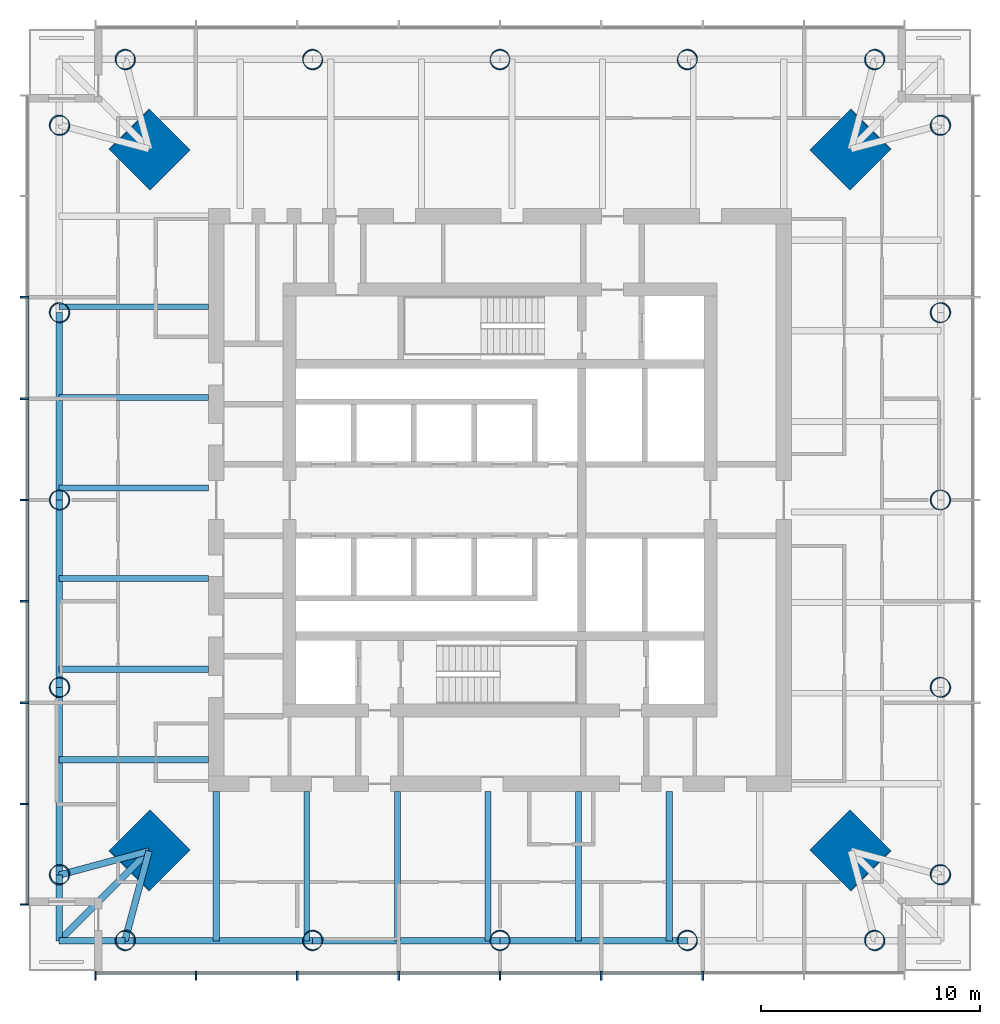
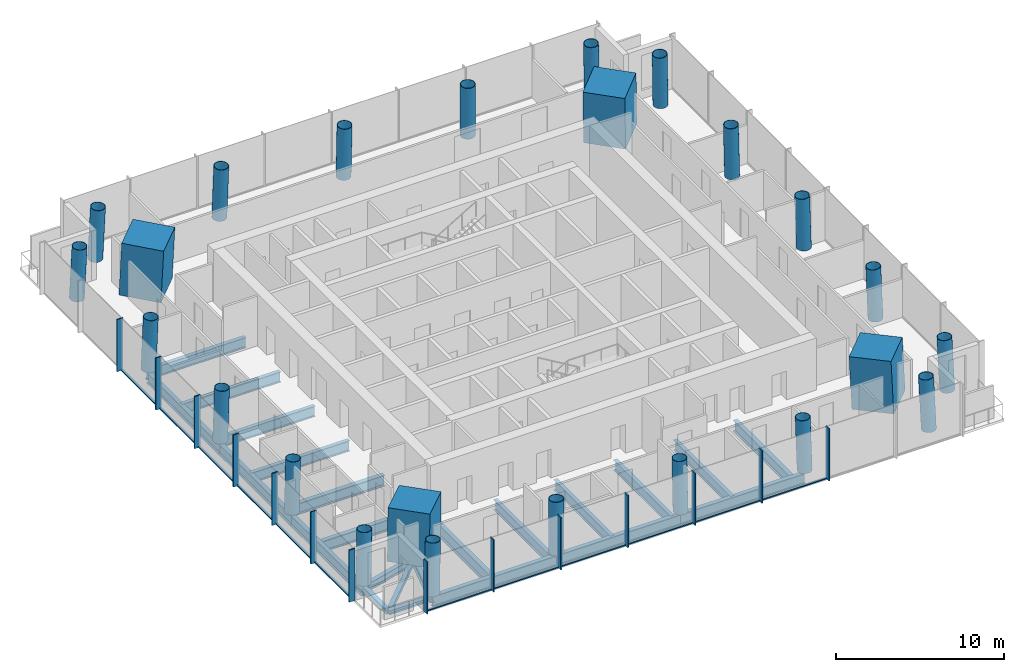
# One storey, part 1 of 9: 26 members, 24 columns, 23 beams, 2 elements without a shape of their own.
"""IFC4 building model written with IfcOpenShell, lengths in metres."""

from ifc_helpers import new_model, si_unit, direction, frame, origin, origin_2d, place, context, subcontext, project, spatial, rectangle, hollow_circle, i_section, extrude, material, material_profile, profile_set, type_object, element, aggregate, save


model = new_model("IFC4")

# Units and contexts
model_context = context("Model", 3, precision=1e-05, world=origin(), true_north=direction((0.0, 1.0)))
body_context = subcontext(model_context, "Body", "Model", "MODEL_VIEW")
ifc_project = project(units=[si_unit("LENGTHUNIT", "METRE"), si_unit("AREAUNIT", "SQUARE_METRE"), si_unit("VOLUMEUNIT", "CUBIC_METRE"), si_unit("PLANEANGLEUNIT", "RADIAN"), si_unit("MASSUNIT", "GRAM", prefix="KILO")], contexts=[model_context])

# Site, building, storey
site_placement = place(None, origin())
site = spatial("IfcSite", under=ifc_project, at=site_placement, CompositionType="ELEMENT")
building_placement = place(site_placement, origin())
building = spatial("IfcBuilding", under=site, at=building_placement, Name="Ostroluk Exchange", CompositionType="ELEMENT")
storey_placement = place(building_placement, frame((0.0, 0.0, 142.60009765625)))
storey = spatial("IfcBuildingStorey", under=building, at=storey_placement, Name="L36", CompositionType="ELEMENT", Elevation=142.60009765625)

# Columns
ifc_material_1 = material(Name="Concrete C50/60", Category="concrete")
ifc_material_profile_1 = material_profile(ifc_material_1, rectangle(XDim=2.60009765625, YDim=2.60009765625, at=origin_2d()), Name="RC 2600x2600")
ifc_profile_set_1 = profile_set([ifc_material_profile_1], Name="Concrete C50/60")
column_type_1 = type_object("IfcColumnType", Name="Mega column RC 2600x2600", PredefinedType="COLUMN", material=ifc_profile_set_1)
for number, where, z_axis, x_axis, name in (
    (1, (61.014404296875, 62.014404296875, 0.0), (-0.031964207655, -0.031964207655, 0.998977766949), (0.707106781187, -0.707106781187, 0.0), "T1 mega column NE"),
    (2, (28.985595703125, 62.014404296875, 0.0), (0.031964207655, -0.031964207655, 0.998977766949), (0.707106781187, 0.707106781187, 0.0), "T1 mega column NW"),
    (3, (28.985595703125, 29.985595703125, 0.0), (0.031964207655, 0.031964207655, 0.998977766949), (-0.707106781187, 0.707106781187, 0.0), "T1 mega column SW"),
    (4, (61.014404296875, 29.985595703125, 0.0), (-0.031964207655, 0.031964207655, 0.998977766949), (-0.707106781187, -0.707106781187, 0.0), "T1 mega column SE"),
):
    element("IfcColumn", number, at=place(storey_placement, frame(where, z_axis=z_axis, x_axis=x_axis)), inside=storey, type_object=column_type_1, Name=name, PredefinedType="COLUMN", context=body_context, shape_type="SweptSolid", body=[
        extrude(rectangle(XDim=2.60009765625, YDim=2.60009765625, at=origin_2d()), origin(), (0.0, 0.0, 1.0), 3.8037109375),
    ])
ifc_material_2 = material(Name="Steel S460", Category="steel")
ifc_material_profile_2 = material_profile(ifc_material_2, hollow_circle(Radius=0.45703125, WallThickness=0.030029296875, at=origin_2d()), Name="CHS 914x30")
ifc_profile_set_2 = profile_set([ifc_material_profile_2], Name="Steel S460")
column_type_2 = type_object("IfcColumnType", Name="Perimeter column CHS 914x30", PredefinedType="COLUMN", material=ifc_profile_set_2)
for number, where, z_axis, x_axis, name in (
    (5, (65.1142578125, 28.8857421875, 0.0), (-0.031900153262, 0.031900153262, 0.998981861919), (-0.707106781187, -0.707106781187, 0.0), "T1 east face column E0"),
    (6, (65.1142578125, 63.1142578125, 0.0), (-0.031900153262, -0.031900153262, 0.998981861919), (0.707106781187, -0.707106781187, 0.0), "T1 east face column E1"),
):
    element("IfcColumn", number, at=place(storey_placement, frame(where, z_axis=z_axis, x_axis=x_axis)), inside=storey, type_object=column_type_2, Name=name, PredefinedType="COLUMN", context=body_context, shape_type="SweptSolid", body=[
        extrude(hollow_circle(Radius=0.45703125, WallThickness=0.030029296875, at=origin_2d()), origin(), (0.0, 0.0, 1.0), 3.8037109375),
    ])
column_1_placement = place(storey_placement, frame((65.1142578125, 37.44287109375, 0.0), z_axis=(-0.031912317206, 0.01598826355, 0.999362786699), x_axis=(-0.447933021895, -0.894067115991, 0.0)))
element("IfcColumn", 7, at=column_1_placement, inside=storey, type_object=column_type_2, Name="T1 east face column I1", PredefinedType="COLUMN", context=body_context, shape_type="SweptSolid", body=[
    extrude(hollow_circle(Radius=0.45703125, WallThickness=0.030029296875, at=origin_2d()), origin(), (0.0, 0.0, 1.0), 3.80224609375),
])
column_2_placement = place(storey_placement, frame((65.1142578125, 46.0, 0.0), z_axis=(-0.031916396774, 0.0, 0.999490542035), x_axis=(0.0, -1.0, 0.0)))
element("IfcColumn", 8, at=column_2_placement, inside=storey, type_object=column_type_2, Name="T1 east face column I2", PredefinedType="COLUMN", context=body_context, shape_type="SweptSolid", body=[
    extrude(hollow_circle(Radius=0.45703125, WallThickness=0.030029296875, at=origin_2d()), origin(), (0.0, 0.0, 1.0), 3.8017578125),
])
column_3_placement = place(storey_placement, frame((65.1142578125, 54.55712890625, 0.0), z_axis=(-0.031912317206, -0.01598826355, 0.999362786699), x_axis=(0.447933021895, -0.894067115991, 0.0)))
element("IfcColumn", 9, at=column_3_placement, inside=storey, type_object=column_type_2, Name="T1 east face column I3", PredefinedType="COLUMN", context=body_context, shape_type="SweptSolid", body=[
    extrude(hollow_circle(Radius=0.45703125, WallThickness=0.030029296875, at=origin_2d()), origin(), (0.0, 0.0, 1.0), 3.80224609375),
])
for number, where, z_axis, x_axis, name in (
    (10, (62.1142578125, 66.1142578125, 0.0), (-0.031900153262, -0.031900153262, 0.998981861919), (0.707106781187, -0.707106781187, 0.0), "T1 north face column E0"),
    (11, (27.8857421875, 66.1142578125, 0.0), (0.031900153262, -0.031900153262, 0.998981861919), (0.707106781187, 0.707106781187, 0.0), "T1 north face column E1"),
):
    element("IfcColumn", number, at=place(storey_placement, frame(where, z_axis=z_axis, x_axis=x_axis)), inside=storey, type_object=column_type_2, Name=name, PredefinedType="COLUMN", context=body_context, shape_type="SweptSolid", body=[
        extrude(hollow_circle(Radius=0.45703125, WallThickness=0.030029296875, at=origin_2d()), origin(), (0.0, 0.0, 1.0), 3.8037109375),
    ])
column_4_placement = place(storey_placement, frame((53.55712890625, 66.1142578125, 0.0), z_axis=(-0.01598826355, -0.031912317206, 0.999362786699), x_axis=(0.894067115991, -0.447933021895, 0.0)))
element("IfcColumn", 12, at=column_4_placement, inside=storey, type_object=column_type_2, Name="T1 north face column I1", PredefinedType="COLUMN", context=body_context, shape_type="SweptSolid", body=[
    extrude(hollow_circle(Radius=0.45703125, WallThickness=0.030029296875, at=origin_2d()), origin(), (0.0, 0.0, 1.0), 3.80224609375),
])
column_5_placement = place(storey_placement, frame((45.0, 66.1142578125, 0.0), z_axis=(0.0, -0.031916396774, 0.999490542035), x_axis=(1.0, 0.0, 0.0)))
element("IfcColumn", 13, at=column_5_placement, inside=storey, type_object=column_type_2, Name="T1 north face column I2", PredefinedType="COLUMN", context=body_context, shape_type="SweptSolid", body=[
    extrude(hollow_circle(Radius=0.45703125, WallThickness=0.030029296875, at=origin_2d()), origin(), (0.0, 0.0, 1.0), 3.8017578125),
])
column_6_placement = place(storey_placement, frame((36.44287109375, 66.1142578125, 0.0), z_axis=(0.01598826355, -0.031912317206, 0.999362786699), x_axis=(0.894067115991, 0.447933021895, 0.0)))
element("IfcColumn", 14, at=column_6_placement, inside=storey, type_object=column_type_2, Name="T1 north face column I3", PredefinedType="COLUMN", context=body_context, shape_type="SweptSolid", body=[
    extrude(hollow_circle(Radius=0.45703125, WallThickness=0.030029296875, at=origin_2d()), origin(), (0.0, 0.0, 1.0), 3.80224609375),
])
for number, where, z_axis, x_axis, name in (
    (15, (24.8857421875, 63.1142578125, 0.0), (0.031900153262, -0.031900153262, 0.998981861919), (0.707106781187, 0.707106781187, 0.0), "T1 west face column E0"),
    (16, (24.8857421875, 28.8857421875, 0.0), (0.031900153262, 0.031900153262, 0.998981861919), (-0.707106781187, 0.707106781187, 0.0), "T1 west face column E1"),
):
    element("IfcColumn", number, at=place(storey_placement, frame(where, z_axis=z_axis, x_axis=x_axis)), inside=storey, type_object=column_type_2, Name=name, PredefinedType="COLUMN", context=body_context, shape_type="SweptSolid", body=[
        extrude(hollow_circle(Radius=0.45703125, WallThickness=0.030029296875, at=origin_2d()), origin(), (0.0, 0.0, 1.0), 3.8037109375),
    ])
column_7_placement = place(storey_placement, frame((24.8857421875, 54.55712890625, 0.0), z_axis=(0.031912317206, -0.01598826355, 0.999362786699), x_axis=(0.447933021895, 0.894067115991, 0.0)))
element("IfcColumn", 17, at=column_7_placement, inside=storey, type_object=column_type_2, Name="T1 west face column I1", PredefinedType="COLUMN", context=body_context, shape_type="SweptSolid", body=[
    extrude(hollow_circle(Radius=0.45703125, WallThickness=0.030029296875, at=origin_2d()), origin(), (0.0, 0.0, 1.0), 3.80224609375),
])
column_8_placement = place(storey_placement, frame((24.8857421875, 46.0, 0.0), z_axis=(0.031916396774, 0.0, 0.999490542035), x_axis=(0.0, 1.0, 0.0)))
element("IfcColumn", 18, at=column_8_placement, inside=storey, type_object=column_type_2, Name="T1 west face column I2", PredefinedType="COLUMN", context=body_context, shape_type="SweptSolid", body=[
    extrude(hollow_circle(Radius=0.45703125, WallThickness=0.030029296875, at=origin_2d()), origin(), (0.0, 0.0, 1.0), 3.8017578125),
])
column_9_placement = place(storey_placement, frame((24.8857421875, 37.44287109375, 0.0), z_axis=(0.031912317206, 0.01598826355, 0.999362786699), x_axis=(-0.447933021895, 0.894067115991, 0.0)))
element("IfcColumn", 19, at=column_9_placement, inside=storey, type_object=column_type_2, Name="T1 west face column I3", PredefinedType="COLUMN", context=body_context, shape_type="SweptSolid", body=[
    extrude(hollow_circle(Radius=0.45703125, WallThickness=0.030029296875, at=origin_2d()), origin(), (0.0, 0.0, 1.0), 3.80224609375),
])
for number, where, z_axis, x_axis, name in (
    (20, (27.8857421875, 25.8857421875, 0.0), (0.031900153262, 0.031900153262, 0.998981861919), (-0.707106781187, 0.707106781187, 0.0), "T1 south face column E0"),
    (21, (62.1142578125, 25.8857421875, 0.0), (-0.031900153262, 0.031900153262, 0.998981861919), (-0.707106781187, -0.707106781187, 0.0), "T1 south face column E1"),
):
    element("IfcColumn", number, at=place(storey_placement, frame(where, z_axis=z_axis, x_axis=x_axis)), inside=storey, type_object=column_type_2, Name=name, PredefinedType="COLUMN", context=body_context, shape_type="SweptSolid", body=[
        extrude(hollow_circle(Radius=0.45703125, WallThickness=0.030029296875, at=origin_2d()), origin(), (0.0, 0.0, 1.0), 3.8037109375),
    ])
column_10_placement = place(storey_placement, frame((36.44287109375, 25.8857421875, 0.0), z_axis=(0.01598826355, 0.031912317206, 0.999362786699), x_axis=(-0.894067115991, 0.447933021895, 0.0)))
element("IfcColumn", 22, at=column_10_placement, inside=storey, type_object=column_type_2, Name="T1 south face column I1", PredefinedType="COLUMN", context=body_context, shape_type="SweptSolid", body=[
    extrude(hollow_circle(Radius=0.45703125, WallThickness=0.030029296875, at=origin_2d()), origin(), (0.0, 0.0, 1.0), 3.80224609375),
])
column_11_placement = place(storey_placement, frame((45.0, 25.8857421875, 0.0), z_axis=(0.0, 0.031916396774, 0.999490542035), x_axis=(-1.0, 0.0, 0.0)))
element("IfcColumn", 23, at=column_11_placement, inside=storey, type_object=column_type_2, Name="T1 south face column I2", PredefinedType="COLUMN", context=body_context, shape_type="SweptSolid", body=[
    extrude(hollow_circle(Radius=0.45703125, WallThickness=0.030029296875, at=origin_2d()), origin(), (0.0, 0.0, 1.0), 3.8017578125),
])
column_12_placement = place(storey_placement, frame((53.55712890625, 25.8857421875, 0.0), z_axis=(-0.01598826355, 0.031912317206, 0.999362786699), x_axis=(-0.894067115991, -0.447933021895, 0.0)))
element("IfcColumn", 24, at=column_12_placement, inside=storey, type_object=column_type_2, Name="T1 south face column I3", PredefinedType="COLUMN", context=body_context, shape_type="SweptSolid", body=[
    extrude(hollow_circle(Radius=0.45703125, WallThickness=0.030029296875, at=origin_2d()), origin(), (0.0, 0.0, 1.0), 3.80224609375),
])

# Beams
ifc_material_3 = material(Name="Steel S355", Category="steel")
ifc_material_profile_3 = material_profile(ifc_material_3, i_section(OverallWidth=0.300048828125, OverallDepth=0.300048828125, WebThickness=0.010986328125, FlangeThickness=0.01904296875, FilletRadius=0.027099609375, at=origin_2d()), Name="HEB 300")
ifc_profile_set_3 = profile_set([ifc_material_profile_3], Name="Steel S355")
beam_type_1 = type_object("IfcBeamType", Name="Balcony beam HEB 300", PredefinedType="BEAM", material=ifc_profile_set_3)
for number, where, z_axis, x_axis, name in (
    (25, (24.8857421875, 28.8857421875, -0.330078125), (0.0, -1.0, 0.0), (1.0, 0.0, 0.0), "T1 west balcony beam a"),
    (26, (27.8857421875, 25.8857421875, -0.330078125), (-1.0, 0.0, 0.0), (0.0, -1.0, 0.0), "T1 west balcony beam b"),
):
    element("IfcBeam", number, at=place(storey_placement, frame(where, z_axis=z_axis, x_axis=x_axis)), inside=storey, type_object=beam_type_1, Name=name, PredefinedType="BEAM", context=body_context, shape_type="SweptSolid", body=[
        extrude(i_section(OverallWidth=0.300048828125, OverallDepth=0.300048828125, WebThickness=0.010986328125, FlangeThickness=0.01904296875, FilletRadius=0.027099609375, at=origin_2d()), origin(), (0.0, 0.0, 1.0), 3.0),
    ])
beam_1_placement = place(storey_placement, frame((28.985595703125, 29.985595703125, -0.330078125), z_axis=(-0.707106781187, -0.707106781187, 0.0), x_axis=(0.707106781187, -0.707106781187, 0.0)))
element("IfcBeam", 27, at=beam_1_placement, inside=storey, type_object=beam_type_1, Name="T1 west balcony beam c", PredefinedType="BEAM", context=body_context, shape_type="SweptSolid", body=[
    extrude(i_section(OverallWidth=0.300048828125, OverallDepth=0.300048828125, WebThickness=0.010986328125, FlangeThickness=0.01904296875, FilletRadius=0.027099609375, at=origin_2d()), origin(), (0.0, 0.0, 1.0), 5.798095703125),
])
ifc_material_4 = material(Name="Steel S355", Category="steel")
ifc_material_profile_4 = material_profile(ifc_material_4, i_section(OverallWidth=0.300048828125, OverallDepth=0.550048828125, WebThickness=0.014892578125, FlangeThickness=0.029052734375, FilletRadius=0.027099609375, at=origin_2d()), Name="HEB 550")
ifc_profile_set_4 = profile_set([ifc_material_profile_4], Name="Steel S355")
beam_type_2 = type_object("IfcBeamType", Name="Corner edge beam HEB 550", PredefinedType="SPANDREL", material=ifc_profile_set_4)
for number, where, z_axis, x_axis, name in (
    (28, (28.985595703125, 29.985595703125, -0.455078125), (-0.965849156574, -0.259105011038, 0.0), (0.259105011038, -0.965849156574, 0.0), "T1 west corner edge beam a"),
    (29, (28.985595703125, 29.985595703125, -0.455078125), (-0.259105011038, -0.965849156574, 0.0), (0.965849156574, -0.259105011038, 0.0), "T1 west corner edge beam b"),
):
    element("IfcBeam", number, at=place(storey_placement, frame(where, z_axis=z_axis, x_axis=x_axis)), inside=storey, type_object=beam_type_2, Name=name, PredefinedType="SPANDREL", context=body_context, shape_type="SweptSolid", body=[
        extrude(i_section(OverallWidth=0.300048828125, OverallDepth=0.550048828125, WebThickness=0.014892578125, FlangeThickness=0.029052734375, FilletRadius=0.027099609375, at=origin_2d()), origin(), (0.0, 0.0, 1.0), 4.244873046875),
    ])
ifc_material_5 = material(Name="Steel S355", Category="steel")
ifc_material_profile_5 = material_profile(ifc_material_5, i_section(OverallWidth=0.302978515625, OverallDepth=0.81396484375, WebThickness=0.02099609375, FlangeThickness=0.0400390625, FilletRadius=0.030029296875, at=origin_2d()), Name="HEM 800")
ifc_profile_set_5 = profile_set([ifc_material_profile_5], Name="Steel S355")
beam_type_3 = type_object("IfcBeamType", Name="Floor beam HEM 800", PredefinedType="BEAM", material=ifc_profile_set_5)
for number, where, z_axis, x_axis, name in (
    (30, (31.699951171875, 38.284912109375, -0.587158203125), (-1.0, 0.0, 0.0), (0.0, -1.0, 0.0), "T1 west floor beam 5"),
    (31, (31.699951171875, 34.15185546875, -0.587158203125), (-1.0, 0.0, 0.0), (0.0, -1.0, 0.0), "T1 west floor beam 6"),
    (32, (52.715087890625, 32.699951171875, -0.587158203125), (0.0, -1.0, 0.0), (1.0, 0.0, 0.0), "T1 south floor beam 5"),
):
    element("IfcBeam", number, at=place(storey_placement, frame(where, z_axis=z_axis, x_axis=x_axis)), inside=storey, type_object=beam_type_3, Name=name, PredefinedType="BEAM", context=body_context, shape_type="SweptSolid", body=[
        extrude(i_section(OverallWidth=0.302978515625, OverallDepth=0.81396484375, WebThickness=0.02099609375, FlangeThickness=0.0400390625, FilletRadius=0.030029296875, at=origin_2d()), origin(), (0.0, 0.0, 1.0), 6.814208984375),
    ])
ifc_material_6 = material(Name="Steel S355", Category="steel")
ifc_material_profile_6 = material_profile(ifc_material_6, i_section(OverallWidth=0.26708984375, OverallDepth=0.761962890625, WebThickness=0.014404296875, FlangeThickness=0.021484375, FilletRadius=0.01708984375, at=origin_2d()), Name="IPE 750x173")
ifc_profile_set_6 = profile_set([ifc_material_profile_6], Name="Steel S355")
beam_type_4 = type_object("IfcBeamType", Name="Floor beam IPE 750x173", PredefinedType="BEAM", material=ifc_profile_set_6)
for number, where, z_axis, x_axis, name in (
    (33, (31.699951171875, 54.81689453125, -0.56103515625), (-1.0, 0.0, 0.0), (0.0, -1.0, 0.0), "T1 west floor beam 1"),
    (34, (31.699951171875, 50.683837890625, -0.56103515625), (-1.0, 0.0, 0.0), (0.0, -1.0, 0.0), "T1 west floor beam 2"),
    (35, (31.699951171875, 46.55078125, -0.56103515625), (-1.0, 0.0, 0.0), (0.0, -1.0, 0.0), "T1 west floor beam 3"),
    (36, (31.699951171875, 42.41796875, -0.56103515625), (-1.0, 0.0, 0.0), (0.0, -1.0, 0.0), "T1 west floor beam 4"),
    (37, (36.18310546875, 32.699951171875, -0.56103515625), (0.0, -1.0, 0.0), (1.0, 0.0, 0.0), "T1 south floor beam 1"),
    (38, (40.316162109375, 32.699951171875, -0.56103515625), (0.0, -1.0, 0.0), (1.0, 0.0, 0.0), "T1 south floor beam 2"),
    (39, (44.44921875, 32.699951171875, -0.56103515625), (0.0, -1.0, 0.0), (1.0, 0.0, 0.0), "T1 south floor beam 3"),
    (40, (48.58203125, 32.699951171875, -0.56103515625), (0.0, -1.0, 0.0), (1.0, 0.0, 0.0), "T1 south floor beam 4"),
):
    element("IfcBeam", number, at=place(storey_placement, frame(where, z_axis=z_axis, x_axis=x_axis)), inside=storey, type_object=beam_type_4, Name=name, PredefinedType="BEAM", context=body_context, shape_type="SweptSolid", body=[
        extrude(i_section(OverallWidth=0.26708984375, OverallDepth=0.761962890625, WebThickness=0.014404296875, FlangeThickness=0.021484375, FilletRadius=0.01708984375, at=origin_2d()), origin(), (0.0, 0.0, 1.0), 6.814208984375),
    ])
ifc_material_7 = material(Name="Steel S355", Category="steel")
ifc_material_profile_7 = material_profile(ifc_material_7, i_section(OverallWidth=0.300048828125, OverallDepth=0.89990234375, WebThickness=0.0185546875, FlangeThickness=0.034912109375, FilletRadius=0.030029296875, at=origin_2d()), Name="HEB 900")
ifc_profile_set_7 = profile_set([ifc_material_profile_7], Name="Steel S355")
beam_type_5 = type_object("IfcBeamType", Name="Girder HEB 900", PredefinedType="BEAM", material=ifc_profile_set_7)
beam_2_placement = place(storey_placement, frame((32.050048828125, 32.699951171875, -0.630126953125), z_axis=(0.0, -1.0, 0.0), x_axis=(1.0, 0.0, 0.0)))
element("IfcBeam", 41, at=beam_2_placement, inside=storey, type_object=beam_type_5, Name="T1 west girder", PredefinedType="BEAM", context=body_context, shape_type="SweptSolid", body=[
    extrude(i_section(OverallWidth=0.300048828125, OverallDepth=0.89990234375, WebThickness=0.0185546875, FlangeThickness=0.034912109375, FilletRadius=0.030029296875, at=origin_2d()), origin(), (0.0, 0.0, 1.0), 6.814208984375),
])
ifc_material_8 = material(Name="Steel S355", Category="steel")
ifc_material_profile_8 = material_profile(ifc_material_8, i_section(OverallWidth=0.300048828125, OverallDepth=0.800048828125, WebThickness=0.017578125, FlangeThickness=0.032958984375, FilletRadius=0.030029296875, at=origin_2d()), Name="HEB 800")
ifc_profile_set_8 = profile_set([ifc_material_profile_8], Name="Steel S355")
beam_type_6 = type_object("IfcBeamType", Name="Moment-connected edge beam HEB 800", PredefinedType="SPANDREL", material=ifc_profile_set_8)
for number, where, z_axis, x_axis, name in (
    (42, (24.8857421875, 54.55712890625, -0.580078125), (0.0, -1.0, 0.0), (1.0, 0.0, 0.0), "T1 west edge beam 2"),
    (43, (24.8857421875, 46.0, -0.580078125), (0.0, -1.0, 0.0), (1.0, 0.0, 0.0), "T1 west edge beam 3"),
    (44, (24.8857421875, 37.44287109375, -0.580078125), (0.0, -1.0, 0.0), (1.0, 0.0, 0.0), "T1 west edge beam 4"),
    (45, (27.8857421875, 25.8857421875, -0.580078125), (1.0, 0.0, 0.0), (0.0, 1.0, 0.0), "T1 south edge beam 1"),
    (46, (36.44287109375, 25.8857421875, -0.580078125), (1.0, 0.0, 0.0), (0.0, 1.0, 0.0), "T1 south edge beam 2"),
    (47, (45.0, 25.8857421875, -0.580078125), (1.0, 0.0, 0.0), (0.0, 1.0, 0.0), "T1 south edge beam 3"),
):
    element("IfcBeam", number, at=place(storey_placement, frame(where, z_axis=z_axis, x_axis=x_axis)), inside=storey, type_object=beam_type_6, Name=name, PredefinedType="SPANDREL", context=body_context, shape_type="SweptSolid", body=[
        extrude(i_section(OverallWidth=0.300048828125, OverallDepth=0.800048828125, WebThickness=0.017578125, FlangeThickness=0.032958984375, FilletRadius=0.030029296875, at=origin_2d()), origin(), (0.0, 0.0, 1.0), 8.55712890625),
    ])

# Curtain wall, members
ifc_material_9 = material(Name="Laminated clear glass", Category="glass")
curtain_wall_type = type_object("IfcCurtainWallType", Name="Office tower facade", PredefinedType="USERDEFINED", material=ifc_material_9)
curtain_wall_1_placement = place(storey_placement, origin())
curtain_wall_1 = element("IfcCurtainWall", 48, at=curtain_wall_1_placement, inside=storey, type_object=curtain_wall_type, Name="Office tower south facade L36", ObjectType="UNITISED CURTAIN WALL", PredefinedType="USERDEFINED")
ifc_material_10 = material(Name="Aluminium mullion", Category="aluminium")
ifc_material_profile_9 = material_profile(ifc_material_10, rectangle(XDim=0.14990234375, YDim=0.080078125, at=origin_2d()), Name="Sill transom 80 x 150")
ifc_profile_set_9 = profile_set([ifc_material_profile_9], Name="Aluminium mullion")
member_type_1 = type_object("IfcMemberType", Name="Sill transom 80 x 150", PredefinedType="USERDEFINED", material=ifc_profile_set_9)
member_1_placement = place(storey_placement, frame((26.580078125, 24.425048828125, 0.039794921875), z_axis=(1.0, 0.0, 0.0), x_axis=(0.0, 1.0, 0.0)))
member_1 = element("IfcMember", 49, at=member_1_placement, type_object=member_type_1, Name="CW-O1 transom 1.1", ObjectType="TRANSOM", PredefinedType="USERDEFINED", context=body_context, shape_type="SweptSolid", body=[
    extrude(rectangle(XDim=0.14990234375, YDim=0.080078125, at=origin_2d()), origin(), (0.0, 0.0, 1.0), 4.5048828125),
])
member_2_placement = place(storey_placement, frame((31.1650390625, 24.425048828125, 0.039794921875), z_axis=(1.0, 0.0, 0.0), x_axis=(0.0, 1.0, 0.0)))
member_2 = element("IfcMember", 50, at=member_2_placement, type_object=member_type_1, Name="CW-O1 transom 2.1", ObjectType="TRANSOM", PredefinedType="USERDEFINED", context=body_context, shape_type="SweptSolid", body=[
    extrude(rectangle(XDim=0.14990234375, YDim=0.080078125, at=origin_2d()), origin(), (0.0, 0.0, 1.0), 4.544921875),
])
member_3_placement = place(storey_placement, frame((35.7900390625, 24.425048828125, 0.039794921875), z_axis=(1.0, 0.0, 0.0), x_axis=(0.0, 1.0, 0.0)))
member_3 = element("IfcMember", 51, at=member_3_placement, type_object=member_type_1, Name="CW-O1 transom 3.1", ObjectType="TRANSOM", PredefinedType="USERDEFINED", context=body_context, shape_type="SweptSolid", body=[
    extrude(rectangle(XDim=0.14990234375, YDim=0.080078125, at=origin_2d()), origin(), (0.0, 0.0, 1.0), 4.544921875),
])
member_4_placement = place(storey_placement, frame((40.4150390625, 24.425048828125, 0.039794921875), z_axis=(1.0, 0.0, 0.0), x_axis=(0.0, 1.0, 0.0)))
member_4 = element("IfcMember", 52, at=member_4_placement, type_object=member_type_1, Name="CW-O1 transom 4.1", ObjectType="TRANSOM", PredefinedType="USERDEFINED", context=body_context, shape_type="SweptSolid", body=[
    extrude(rectangle(XDim=0.14990234375, YDim=0.080078125, at=origin_2d()), origin(), (0.0, 0.0, 1.0), 4.544921875),
])
member_5_placement = place(storey_placement, frame((45.0400390625, 24.425048828125, 0.039794921875), z_axis=(1.0, 0.0, 0.0), x_axis=(0.0, 1.0, 0.0)))
member_5 = element("IfcMember", 53, at=member_5_placement, type_object=member_type_1, Name="CW-O1 transom 5.1", ObjectType="TRANSOM", PredefinedType="USERDEFINED", context=body_context, shape_type="SweptSolid", body=[
    extrude(rectangle(XDim=0.14990234375, YDim=0.080078125, at=origin_2d()), origin(), (0.0, 0.0, 1.0), 4.544921875),
])
member_6_placement = place(storey_placement, frame((49.6650390625, 24.425048828125, 0.039794921875), z_axis=(1.0, 0.0, 0.0), x_axis=(0.0, 1.0, 0.0)))
member_6 = element("IfcMember", 54, at=member_6_placement, type_object=member_type_1, Name="CW-O1 transom 6.1", ObjectType="TRANSOM", PredefinedType="USERDEFINED", context=body_context, shape_type="SweptSolid", body=[
    extrude(rectangle(XDim=0.14990234375, YDim=0.080078125, at=origin_2d()), origin(), (0.0, 0.0, 1.0), 4.544921875),
])

curtain_wall_2_placement = place(storey_placement, origin())
curtain_wall_2 = element("IfcCurtainWall", 55, at=curtain_wall_2_placement, inside=storey, type_object=curtain_wall_type, Name="Office tower west facade L36", ObjectType="UNITISED CURTAIN WALL", PredefinedType="USERDEFINED")
member_7_placement = place(storey_placement, frame((23.425048828125, 55.2099609375, 0.039794921875), z_axis=(0.0, -1.0, 0.0), x_axis=(1.0, 0.0, 0.0)))
member_7 = element("IfcMember", 56, at=member_7_placement, type_object=member_type_1, Name="CW-O1 transom 3.1", ObjectType="TRANSOM", PredefinedType="USERDEFINED", context=body_context, shape_type="SweptSolid", body=[
    extrude(rectangle(XDim=0.14990234375, YDim=0.080078125, at=origin_2d()), origin(), (0.0, 0.0, 1.0), 4.544921875),
])
member_8_placement = place(storey_placement, frame((23.425048828125, 50.5849609375, 0.039794921875), z_axis=(0.0, -1.0, 0.0), x_axis=(1.0, 0.0, 0.0)))
member_8 = element("IfcMember", 57, at=member_8_placement, type_object=member_type_1, Name="CW-O1 transom 4.1", ObjectType="TRANSOM", PredefinedType="USERDEFINED", context=body_context, shape_type="SweptSolid", body=[
    extrude(rectangle(XDim=0.14990234375, YDim=0.080078125, at=origin_2d()), origin(), (0.0, 0.0, 1.0), 4.544921875),
])
member_9_placement = place(storey_placement, frame((23.425048828125, 45.9599609375, 0.039794921875), z_axis=(0.0, -1.0, 0.0), x_axis=(1.0, 0.0, 0.0)))
member_9 = element("IfcMember", 58, at=member_9_placement, type_object=member_type_1, Name="CW-O1 transom 5.1", ObjectType="TRANSOM", PredefinedType="USERDEFINED", context=body_context, shape_type="SweptSolid", body=[
    extrude(rectangle(XDim=0.14990234375, YDim=0.080078125, at=origin_2d()), origin(), (0.0, 0.0, 1.0), 4.544921875),
])
member_10_placement = place(storey_placement, frame((23.425048828125, 41.3349609375, 0.039794921875), z_axis=(0.0, -1.0, 0.0), x_axis=(1.0, 0.0, 0.0)))
member_10 = element("IfcMember", 59, at=member_10_placement, type_object=member_type_1, Name="CW-O1 transom 6.1", ObjectType="TRANSOM", PredefinedType="USERDEFINED", context=body_context, shape_type="SweptSolid", body=[
    extrude(rectangle(XDim=0.14990234375, YDim=0.080078125, at=origin_2d()), origin(), (0.0, 0.0, 1.0), 4.544921875),
])
member_11_placement = place(storey_placement, frame((23.425048828125, 36.7099609375, 0.039794921875), z_axis=(0.0, -1.0, 0.0), x_axis=(1.0, 0.0, 0.0)))
member_11 = element("IfcMember", 60, at=member_11_placement, type_object=member_type_1, Name="CW-O1 transom 7.1", ObjectType="TRANSOM", PredefinedType="USERDEFINED", context=body_context, shape_type="SweptSolid", body=[
    extrude(rectangle(XDim=0.14990234375, YDim=0.080078125, at=origin_2d()), origin(), (0.0, 0.0, 1.0), 4.544921875),
])
member_12_placement = place(storey_placement, frame((23.425048828125, 32.0849609375, 0.039794921875), z_axis=(0.0, -1.0, 0.0), x_axis=(1.0, 0.0, 0.0)))
member_12 = element("IfcMember", 61, at=member_12_placement, type_object=member_type_1, Name="CW-O1 transom 8.1", ObjectType="TRANSOM", PredefinedType="USERDEFINED", context=body_context, shape_type="SweptSolid", body=[
    extrude(rectangle(XDim=0.14990234375, YDim=0.080078125, at=origin_2d()), origin(), (0.0, 0.0, 1.0), 4.5048828125),
])

# Member
ifc_material_11 = material(Name="Aluminium mullion with limestone facing", Category="masonry")
ifc_material_profile_10 = material_profile(ifc_material_11, rectangle(XDim=0.39990234375, YDim=0.080078125, at=origin_2d()), Name="Tracery mullion 80 x 400")
ifc_profile_set_10 = profile_set([ifc_material_profile_10], Name="Aluminium mullion with limestone facing")
member_type_2 = type_object("IfcMemberType", Name="Tracery mullion 80 x 400", PredefinedType="MULLION", material=ifc_profile_set_10)
member_13_placement = place(storey_placement, frame((26.5400390625, 24.300048828125, 0.0), z_axis=(0.0, 0.0, 1.0), x_axis=(0.0, 1.0, 0.0)))
member_13 = element("IfcMember", 62, at=member_13_placement, type_object=member_type_2, Name="CW-O1 mullion 1", PredefinedType="MULLION", context=body_context, shape_type="SweptSolid", body=[
    extrude(rectangle(XDim=0.39990234375, YDim=0.080078125, at=origin_2d()), origin(), (0.0, 0.0, 1.0), 3.7998046875),
])

member_14_placement = place(storey_placement, frame((31.125, 24.300048828125, 0.0), z_axis=(0.0, 0.0, 1.0), x_axis=(0.0, 1.0, 0.0)))
member_14 = element("IfcMember", 63, at=member_14_placement, type_object=member_type_2, Name="CW-O1 mullion 2", PredefinedType="MULLION", context=body_context, shape_type="SweptSolid", body=[
    extrude(rectangle(XDim=0.39990234375, YDim=0.080078125, at=origin_2d()), origin(), (0.0, 0.0, 1.0), 3.7998046875),
])

member_15_placement = place(storey_placement, frame((35.75, 24.300048828125, 0.0), z_axis=(0.0, 0.0, 1.0), x_axis=(0.0, 1.0, 0.0)))
member_15 = element("IfcMember", 64, at=member_15_placement, type_object=member_type_2, Name="CW-O1 mullion 3", PredefinedType="MULLION", context=body_context, shape_type="SweptSolid", body=[
    extrude(rectangle(XDim=0.39990234375, YDim=0.080078125, at=origin_2d()), origin(), (0.0, 0.0, 1.0), 3.7998046875),
])

member_16_placement = place(storey_placement, frame((40.375, 24.300048828125, 0.0), z_axis=(0.0, 0.0, 1.0), x_axis=(0.0, 1.0, 0.0)))
member_16 = element("IfcMember", 65, at=member_16_placement, type_object=member_type_2, Name="CW-O1 mullion 4", PredefinedType="MULLION", context=body_context, shape_type="SweptSolid", body=[
    extrude(rectangle(XDim=0.39990234375, YDim=0.080078125, at=origin_2d()), origin(), (0.0, 0.0, 1.0), 3.7998046875),
])

member_17_placement = place(storey_placement, frame((45.0, 24.300048828125, 0.0), z_axis=(0.0, 0.0, 1.0), x_axis=(0.0, 1.0, 0.0)))
member_17 = element("IfcMember", 66, at=member_17_placement, type_object=member_type_2, Name="CW-O1 mullion 5", PredefinedType="MULLION", context=body_context, shape_type="SweptSolid", body=[
    extrude(rectangle(XDim=0.39990234375, YDim=0.080078125, at=origin_2d()), origin(), (0.0, 0.0, 1.0), 3.7998046875),
])

member_18_placement = place(storey_placement, frame((49.625, 24.300048828125, 0.0), z_axis=(0.0, 0.0, 1.0), x_axis=(0.0, 1.0, 0.0)))
member_18 = element("IfcMember", 67, at=member_18_placement, type_object=member_type_2, Name="CW-O1 mullion 6", PredefinedType="MULLION", context=body_context, shape_type="SweptSolid", body=[
    extrude(rectangle(XDim=0.39990234375, YDim=0.080078125, at=origin_2d()), origin(), (0.0, 0.0, 1.0), 3.7998046875),
])

member_19_placement = place(storey_placement, frame((54.25, 24.300048828125, 0.0), z_axis=(0.0, 0.0, 1.0), x_axis=(0.0, 1.0, 0.0)))
member_19 = element("IfcMember", 68, at=member_19_placement, type_object=member_type_2, Name="CW-O1 mullion 7", PredefinedType="MULLION", context=body_context, shape_type="SweptSolid", body=[
    extrude(rectangle(XDim=0.39990234375, YDim=0.080078125, at=origin_2d()), origin(), (0.0, 0.0, 1.0), 3.7998046875),
])

aggregate(curtain_wall_1, [member_13, member_14, member_15, member_16, member_17, member_18, member_19, member_1, member_2, member_3, member_4, member_5, member_6])

member_20_placement = place(storey_placement, frame((23.300048828125, 55.25, 0.0), z_axis=(0.0, 0.0, 1.0), x_axis=(1.0, 0.0, 0.0)))
member_20 = element("IfcMember", 69, at=member_20_placement, type_object=member_type_2, Name="CW-O1 mullion 3", PredefinedType="MULLION", context=body_context, shape_type="SweptSolid", body=[
    extrude(rectangle(XDim=0.39990234375, YDim=0.080078125, at=origin_2d()), origin(), (0.0, 0.0, 1.0), 3.7998046875),
])

member_21_placement = place(storey_placement, frame((23.300048828125, 50.625, 0.0), z_axis=(0.0, 0.0, 1.0), x_axis=(1.0, 0.0, 0.0)))
member_21 = element("IfcMember", 70, at=member_21_placement, type_object=member_type_2, Name="CW-O1 mullion 4", PredefinedType="MULLION", context=body_context, shape_type="SweptSolid", body=[
    extrude(rectangle(XDim=0.39990234375, YDim=0.080078125, at=origin_2d()), origin(), (0.0, 0.0, 1.0), 3.7998046875),
])

member_22_placement = place(storey_placement, frame((23.300048828125, 46.0, 0.0), z_axis=(0.0, 0.0, 1.0), x_axis=(1.0, 0.0, 0.0)))
member_22 = element("IfcMember", 71, at=member_22_placement, type_object=member_type_2, Name="CW-O1 mullion 5", PredefinedType="MULLION", context=body_context, shape_type="SweptSolid", body=[
    extrude(rectangle(XDim=0.39990234375, YDim=0.080078125, at=origin_2d()), origin(), (0.0, 0.0, 1.0), 3.7998046875),
])

member_23_placement = place(storey_placement, frame((23.300048828125, 41.375, 0.0), z_axis=(0.0, 0.0, 1.0), x_axis=(1.0, 0.0, 0.0)))
member_23 = element("IfcMember", 72, at=member_23_placement, type_object=member_type_2, Name="CW-O1 mullion 6", PredefinedType="MULLION", context=body_context, shape_type="SweptSolid", body=[
    extrude(rectangle(XDim=0.39990234375, YDim=0.080078125, at=origin_2d()), origin(), (0.0, 0.0, 1.0), 3.7998046875),
])

member_24_placement = place(storey_placement, frame((23.300048828125, 36.75, 0.0), z_axis=(0.0, 0.0, 1.0), x_axis=(1.0, 0.0, 0.0)))
member_24 = element("IfcMember", 73, at=member_24_placement, type_object=member_type_2, Name="CW-O1 mullion 7", PredefinedType="MULLION", context=body_context, shape_type="SweptSolid", body=[
    extrude(rectangle(XDim=0.39990234375, YDim=0.080078125, at=origin_2d()), origin(), (0.0, 0.0, 1.0), 3.7998046875),
])

member_25_placement = place(storey_placement, frame((23.300048828125, 32.125, 0.0), z_axis=(0.0, 0.0, 1.0), x_axis=(1.0, 0.0, 0.0)))
member_25 = element("IfcMember", 74, at=member_25_placement, type_object=member_type_2, Name="CW-O1 mullion 8", PredefinedType="MULLION", context=body_context, shape_type="SweptSolid", body=[
    extrude(rectangle(XDim=0.39990234375, YDim=0.080078125, at=origin_2d()), origin(), (0.0, 0.0, 1.0), 3.7998046875),
])

member_26_placement = place(storey_placement, frame((23.300048828125, 27.5400390625, 0.0), z_axis=(0.0, 0.0, 1.0), x_axis=(1.0, 0.0, 0.0)))
member_26 = element("IfcMember", 75, at=member_26_placement, type_object=member_type_2, Name="CW-O1 mullion 9", PredefinedType="MULLION", context=body_context, shape_type="SweptSolid", body=[
    extrude(rectangle(XDim=0.39990234375, YDim=0.080078125, at=origin_2d()), origin(), (0.0, 0.0, 1.0), 3.7998046875),
])

aggregate(curtain_wall_2, [member_20, member_21, member_22, member_23, member_24, member_25, member_26, member_7, member_8, member_9, member_10, member_11, member_12])

save(model, "model.ifc")
